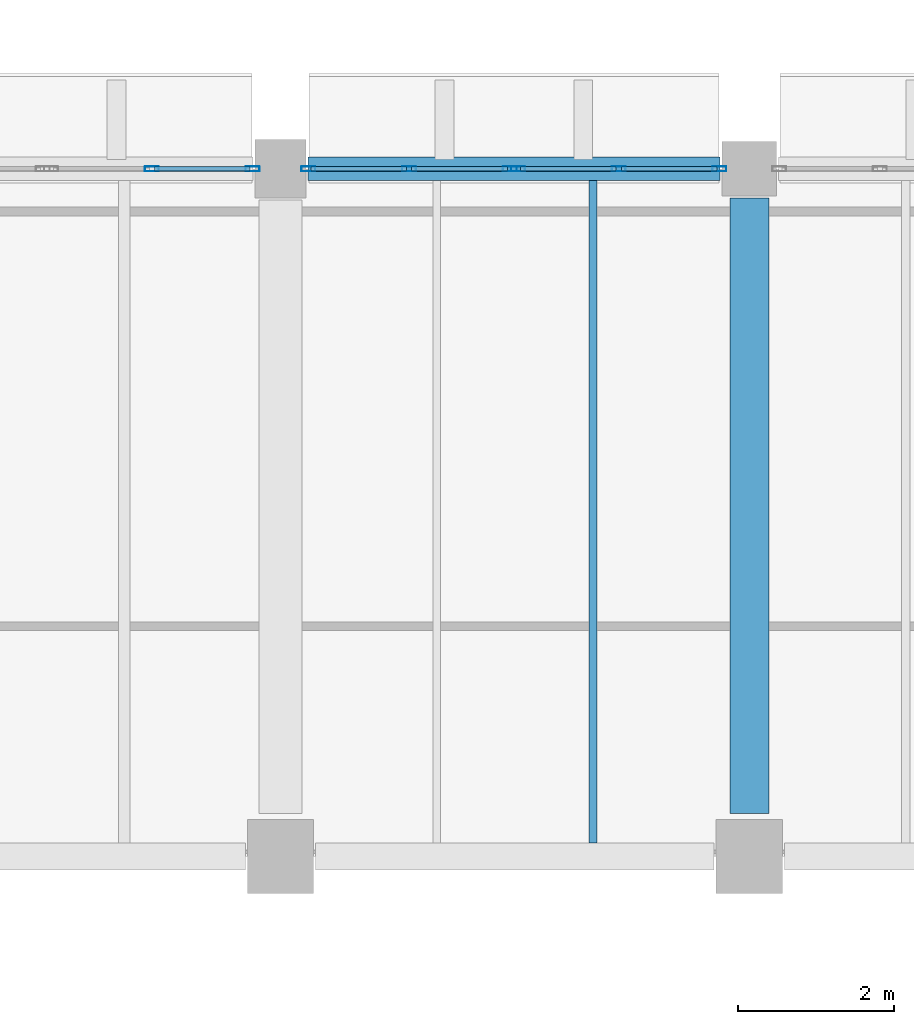
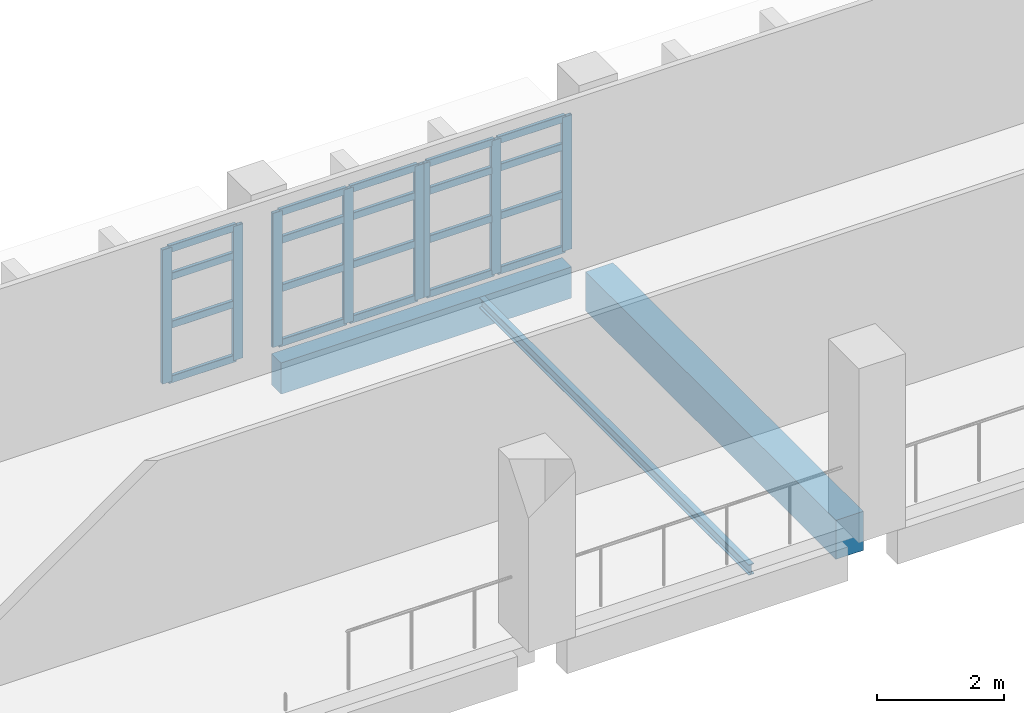
# One storey, part 36 of 75: 28 members, 3 beams, 3 elements without a shape of their own.
"""IFC4 building model written with IfcOpenShell, lengths in metres."""

from ifc_helpers import new_model, si_unit, direction, frame, origin, origin_2d, place, context, subcontext, project, spatial, rectangle, hollow_rectangle, i_section, extrude, material, material_profile, profile_set, type_object, element, aggregate, save


model = new_model("IFC4")

# Units and contexts
model_context = context("Model", 3, precision=1e-05, world=origin(), true_north=direction((0.0, 1.0)))
body_context = subcontext(model_context, "Body", "Model", "MODEL_VIEW")
ifc_project = project(units=[si_unit("LENGTHUNIT", "METRE"), si_unit("AREAUNIT", "SQUARE_METRE"), si_unit("VOLUMEUNIT", "CUBIC_METRE"), si_unit("PLANEANGLEUNIT", "RADIAN"), si_unit("MASSUNIT", "GRAM", prefix="KILO")], contexts=[model_context])

# Site, building, storey
site_placement = place(None, origin())
site = spatial("IfcSite", under=ifc_project, at=site_placement, CompositionType="ELEMENT")
building_placement = place(site_placement, origin())
building = spatial("IfcBuilding", under=site, at=building_placement, Name="Varnakota Cinema and Media Centre", CompositionType="ELEMENT")
storey_placement = place(building_placement, frame((0.0, 0.0, 8.39990234375)))
storey = spatial("IfcBuildingStorey", under=building, at=storey_placement, Name="L02", CompositionType="ELEMENT", Elevation=8.39990234375)

# Beams
ifc_material_1 = material(Name="Concrete M35", Category="concrete")
ifc_material_profile_1 = material_profile(ifc_material_1, rectangle(XDim=0.5, YDim=0.75, at=origin_2d()), Name="RCB 500x750")
ifc_profile_set_1 = profile_set([ifc_material_profile_1], Name="Concrete M35")
beam_type_1 = type_object("IfcBeamType", Name="BM-RC-500x750", PredefinedType="BEAM", material=ifc_profile_set_1)
beam_1_placement = place(storey_placement, frame((111.0, 35.75, -0.625), z_axis=(0.0, 1.0, 0.0), x_axis=(-1.0, 0.0, 0.0)))
element("IfcBeam", 1, at=beam_1_placement, inside=storey, type_object=beam_type_1, Name="L02 girder R/5-6", PredefinedType="BEAM", context=body_context, shape_type="SweptSolid", body=[
    extrude(rectangle(XDim=0.5, YDim=0.75, at=origin_2d()), origin(), (0.0, 0.0, 1.0), 7.875),
])
ifc_material_2 = material(Name="Concrete M35", Category="concrete")
ifc_material_profile_2 = material_profile(ifc_material_2, rectangle(XDim=0.300048828125, YDim=0.60009765625, at=origin_2d()), Name="RCB 300x600")
ifc_profile_set_2 = profile_set([ifc_material_profile_2], Name="Concrete M35")
beam_type_2 = type_object("IfcBeamType", Name="BM-SP-300x600", PredefinedType="SPANDREL", material=ifc_profile_set_2)
beam_2_placement = place(storey_placement, frame((105.35009765625, 44.0, -0.5498046875), z_axis=(1.0, 0.0, 0.0), x_axis=(0.0, 1.0, 0.0)))
element("IfcBeam", 2, at=beam_2_placement, inside=storey, type_object=beam_type_2, Name="L02 girder Q-R/6", PredefinedType="SPANDREL", context=body_context, shape_type="SweptSolid", body=[
    extrude(rectangle(XDim=0.300048828125, YDim=0.60009765625, at=origin_2d()), origin(), (0.0, 0.0, 1.0), 5.27490234375),
])
ifc_material_3 = material(Name="Structural steel Grade 350 (E350)", Category="steel")
ifc_material_profile_3 = material_profile(ifc_material_3, i_section(OverallWidth=0.10009765625, OverallDepth=0.199951171875, WebThickness=0.005615234375, FlangeThickness=0.0107421875, FilletRadius=0.010986328125, at=origin_2d()), Name="ISMB 200")
ifc_profile_set_3 = profile_set([ifc_material_profile_3], Name="Structural steel Grade 350 (E350)")
beam_type_3 = type_object("IfcBeamType", Name="BM-ST-ISMB200", PredefinedType="JOIST", material=ifc_profile_set_3)
beam_3_placement = place(storey_placement, frame((109.0, 35.375, -0.349853515625), z_axis=(0.0, 1.0, 0.0), x_axis=(-1.0, 0.0, 0.0)))
element("IfcBeam", 3, at=beam_3_placement, inside=storey, type_object=beam_type_3, Name="L02 steel joist Q-R/5-6 #2", PredefinedType="JOIST", context=body_context, shape_type="SweptSolid", body=[
    extrude(i_section(OverallWidth=0.10009765625, OverallDepth=0.199951171875, WebThickness=0.005615234375, FlangeThickness=0.0107421875, FilletRadius=0.010986328125, at=origin_2d()), origin(), (0.0, 0.0, 1.0), 8.47509765625),
])

# Curtain wall, members
ifc_material_4 = material(Name="Thermally broken anodised aluminium AW-6063", Category="aluminium")
curtain_wall_type = type_object("IfcCurtainWallType", Name="CW-STD-264x258", PredefinedType="USERDEFINED", material=ifc_material_4)
curtain_wall_1_placement = place(storey_placement, origin())
curtain_wall_1 = element("IfcCurtainWall", 4, at=curtain_wall_1_placement, inside=storey, type_object=curtain_wall_type, Name="L02 curtain wall CW-L02-V1-N-05-2", ObjectType="UNITISED CURTAIN WALL", PredefinedType="USERDEFINED")
ifc_material_5 = material(Name="Thermally broken anodised aluminium AW-6063", Category="aluminium")
ifc_material_profile_4 = material_profile(ifc_material_5, hollow_rectangle(XDim=0.06494140625, YDim=0.179931640625, WallThickness=0.00390625, InnerFilletRadius=0.00390625, OuterFilletRadius=0.008056640625, at=origin_2d()), Name="AL-MULLION 180x65x4")
ifc_profile_set_4 = profile_set([ifc_material_profile_4], Name="Thermally broken anodised aluminium AW-6063")
member_type_1 = type_object("IfcMemberType", Name="CWM-AL-180", PredefinedType="MULLION", material=ifc_profile_set_4)
member_1_placement = place(storey_placement, frame((103.353759765625, 44.0, 0.0), z_axis=(0.0, 0.0, 1.0), x_axis=(0.0, 1.0, 0.0)))
member_1 = element("IfcMember", 5, at=member_1_placement, type_object=member_type_1, Name="CW29 mullion 2", PredefinedType="MULLION", context=body_context, shape_type="SweptSolid", body=[
    extrude(hollow_rectangle(XDim=0.06494140625, YDim=0.179931640625, WallThickness=0.00390625, InnerFilletRadius=0.00390625, OuterFilletRadius=0.008056640625, at=origin_2d()), origin(), (0.0, 0.0, 1.0), 2.5751953125),
])
member_2_placement = place(storey_placement, frame((104.642578125, 44.0, 0.0), z_axis=(0.0, 0.0, 1.0), x_axis=(0.0, 1.0, 0.0)))
member_2 = element("IfcMember", 6, at=member_2_placement, type_object=member_type_1, Name="CW29 mullion 3", PredefinedType="MULLION", context=body_context, shape_type="SweptSolid", body=[
    extrude(hollow_rectangle(XDim=0.06494140625, YDim=0.179931640625, WallThickness=0.00390625, InnerFilletRadius=0.00390625, OuterFilletRadius=0.008056640625, at=origin_2d()), origin(), (0.0, 0.0, 1.0), 2.5751953125),
])

curtain_wall_2_placement = place(storey_placement, origin())
curtain_wall_2 = element("IfcCurtainWall", 7, at=curtain_wall_2_placement, inside=storey, type_object=curtain_wall_type, Name="L02 curtain wall CW-L02-V1-N-06-1", ObjectType="UNITISED CURTAIN WALL", PredefinedType="USERDEFINED")
member_3_placement = place(storey_placement, frame((105.357421875, 44.0, 0.0), z_axis=(0.0, 0.0, 1.0), x_axis=(0.0, 1.0, 0.0)))
member_3 = element("IfcMember", 8, at=member_3_placement, type_object=member_type_1, Name="CW29 mullion 1", PredefinedType="MULLION", context=body_context, shape_type="SweptSolid", body=[
    extrude(hollow_rectangle(XDim=0.06494140625, YDim=0.179931640625, WallThickness=0.00390625, InnerFilletRadius=0.00390625, OuterFilletRadius=0.008056640625, at=origin_2d()), origin(), (0.0, 0.0, 1.0), 2.5751953125),
])
member_4_placement = place(storey_placement, frame((106.646240234375, 44.0, 0.0), z_axis=(0.0, 0.0, 1.0), x_axis=(0.0, 1.0, 0.0)))
member_4 = element("IfcMember", 9, at=member_4_placement, type_object=member_type_1, Name="CW29 mullion 2", PredefinedType="MULLION", context=body_context, shape_type="SweptSolid", body=[
    extrude(hollow_rectangle(XDim=0.06494140625, YDim=0.179931640625, WallThickness=0.00390625, InnerFilletRadius=0.00390625, OuterFilletRadius=0.008056640625, at=origin_2d()), origin(), (0.0, 0.0, 1.0), 2.5751953125),
])
member_5_placement = place(storey_placement, frame((107.93505859375, 44.0, 0.0), z_axis=(0.0, 0.0, 1.0), x_axis=(0.0, 1.0, 0.0)))
member_5 = element("IfcMember", 10, at=member_5_placement, type_object=member_type_1, Name="CW29 mullion 3", PredefinedType="MULLION", context=body_context, shape_type="SweptSolid", body=[
    extrude(hollow_rectangle(XDim=0.06494140625, YDim=0.179931640625, WallThickness=0.00390625, InnerFilletRadius=0.00390625, OuterFilletRadius=0.008056640625, at=origin_2d()), origin(), (0.0, 0.0, 1.0), 2.5751953125),
])

curtain_wall_3_placement = place(storey_placement, origin())
curtain_wall_3 = element("IfcCurtainWall", 11, at=curtain_wall_3_placement, inside=storey, type_object=curtain_wall_type, Name="L02 curtain wall CW-L02-V1-N-06-2", ObjectType="UNITISED CURTAIN WALL", PredefinedType="USERDEFINED")
member_6_placement = place(storey_placement, frame((108.0400390625, 44.0, 0.0), z_axis=(0.0, 0.0, 1.0), x_axis=(0.0, 1.0, 0.0)))
member_6 = element("IfcMember", 12, at=member_6_placement, type_object=member_type_1, Name="CW29 mullion 1", PredefinedType="MULLION", context=body_context, shape_type="SweptSolid", body=[
    extrude(hollow_rectangle(XDim=0.06494140625, YDim=0.179931640625, WallThickness=0.00390625, InnerFilletRadius=0.00390625, OuterFilletRadius=0.008056640625, at=origin_2d()), origin(), (0.0, 0.0, 1.0), 2.5751953125),
])
member_7_placement = place(storey_placement, frame((109.328857421875, 44.0, 0.0), z_axis=(0.0, 0.0, 1.0), x_axis=(0.0, 1.0, 0.0)))
member_7 = element("IfcMember", 13, at=member_7_placement, type_object=member_type_1, Name="CW29 mullion 2", PredefinedType="MULLION", context=body_context, shape_type="SweptSolid", body=[
    extrude(hollow_rectangle(XDim=0.06494140625, YDim=0.179931640625, WallThickness=0.00390625, InnerFilletRadius=0.00390625, OuterFilletRadius=0.008056640625, at=origin_2d()), origin(), (0.0, 0.0, 1.0), 2.5751953125),
])
member_8_placement = place(storey_placement, frame((110.617431640625, 44.0, 0.0), z_axis=(0.0, 0.0, 1.0), x_axis=(0.0, 1.0, 0.0)))
member_8 = element("IfcMember", 14, at=member_8_placement, type_object=member_type_1, Name="CW29 mullion 3", PredefinedType="MULLION", context=body_context, shape_type="SweptSolid", body=[
    extrude(hollow_rectangle(XDim=0.06494140625, YDim=0.179931640625, WallThickness=0.00390625, InnerFilletRadius=0.00390625, OuterFilletRadius=0.008056640625, at=origin_2d()), origin(), (0.0, 0.0, 1.0), 2.5751953125),
])

# Member
ifc_material_6 = material(Name="Thermally broken anodised aluminium AW-6063", Category="aluminium")
ifc_material_profile_5 = material_profile(ifc_material_6, hollow_rectangle(XDim=0.06494140625, YDim=0.139892578125, WallThickness=0.00390625, InnerFilletRadius=0.00390625, OuterFilletRadius=0.008056640625, at=origin_2d()), Name="AL-TRANSOM 140x65x4")
ifc_profile_set_5 = profile_set([ifc_material_profile_5], Name="Thermally broken anodised aluminium AW-6063")
member_type_2 = type_object("IfcMemberType", Name="CWT-AL-140", PredefinedType="USERDEFINED", material=ifc_profile_set_5)
member_9_placement = place(storey_placement, frame((103.38623046875, 44.0, 0.03271484375), z_axis=(1.0, 0.0, 0.0), x_axis=(0.0, 1.0, 0.0)))
member_9 = element("IfcMember", 15, at=member_9_placement, type_object=member_type_2, Name="CW29 transom 2.1", ObjectType="TRANSOM", PredefinedType="USERDEFINED", context=body_context, shape_type="SweptSolid", body=[
    extrude(hollow_rectangle(XDim=0.06494140625, YDim=0.139892578125, WallThickness=0.00390625, InnerFilletRadius=0.00390625, OuterFilletRadius=0.008056640625, at=origin_2d()), origin(), (0.0, 0.0, 1.0), 1.223876953125),
])

member_10_placement = place(storey_placement, frame((103.38623046875, 44.0, 1.08154296875), z_axis=(1.0, 0.0, 0.0), x_axis=(0.0, 1.0, 0.0)))
member_10 = element("IfcMember", 16, at=member_10_placement, type_object=member_type_2, Name="CW29 transom 2.2", ObjectType="TRANSOM", PredefinedType="USERDEFINED", context=body_context, shape_type="SweptSolid", body=[
    extrude(hollow_rectangle(XDim=0.06494140625, YDim=0.139892578125, WallThickness=0.00390625, InnerFilletRadius=0.00390625, OuterFilletRadius=0.008056640625, at=origin_2d()), origin(), (0.0, 0.0, 1.0), 1.223876953125),
])

member_11_placement = place(storey_placement, frame((103.38623046875, 44.0, 2.008544921875), z_axis=(1.0, 0.0, 0.0), x_axis=(0.0, 1.0, 0.0)))
member_11 = element("IfcMember", 17, at=member_11_placement, type_object=member_type_2, Name="CW29 transom 2.3", ObjectType="TRANSOM", PredefinedType="USERDEFINED", context=body_context, shape_type="SweptSolid", body=[
    extrude(hollow_rectangle(XDim=0.06494140625, YDim=0.139892578125, WallThickness=0.00390625, InnerFilletRadius=0.00390625, OuterFilletRadius=0.008056640625, at=origin_2d()), origin(), (0.0, 0.0, 1.0), 1.223876953125),
])

member_12_placement = place(storey_placement, frame((103.38623046875, 44.0, 2.54248046875), z_axis=(1.0, 0.0, 0.0), x_axis=(0.0, 1.0, 0.0)))
member_12 = element("IfcMember", 18, at=member_12_placement, type_object=member_type_2, Name="CW29 transom 2.4", ObjectType="TRANSOM", PredefinedType="USERDEFINED", context=body_context, shape_type="SweptSolid", body=[
    extrude(hollow_rectangle(XDim=0.06494140625, YDim=0.139892578125, WallThickness=0.00390625, InnerFilletRadius=0.00390625, OuterFilletRadius=0.008056640625, at=origin_2d()), origin(), (0.0, 0.0, 1.0), 1.223876953125),
])

aggregate(curtain_wall_1, [member_1, member_2, member_9, member_10, member_11, member_12])

member_13_placement = place(storey_placement, frame((105.389892578125, 44.0, 0.03271484375), z_axis=(1.0, 0.0, 0.0), x_axis=(0.0, 1.0, 0.0)))
member_13 = element("IfcMember", 19, at=member_13_placement, type_object=member_type_2, Name="CW29 transom 1.1", ObjectType="TRANSOM", PredefinedType="USERDEFINED", context=body_context, shape_type="SweptSolid", body=[
    extrude(hollow_rectangle(XDim=0.06494140625, YDim=0.139892578125, WallThickness=0.00390625, InnerFilletRadius=0.00390625, OuterFilletRadius=0.008056640625, at=origin_2d()), origin(), (0.0, 0.0, 1.0), 1.223876953125),
])

member_14_placement = place(storey_placement, frame((105.389892578125, 44.0, 1.08154296875), z_axis=(1.0, 0.0, 0.0), x_axis=(0.0, 1.0, 0.0)))
member_14 = element("IfcMember", 20, at=member_14_placement, type_object=member_type_2, Name="CW29 transom 1.2", ObjectType="TRANSOM", PredefinedType="USERDEFINED", context=body_context, shape_type="SweptSolid", body=[
    extrude(hollow_rectangle(XDim=0.06494140625, YDim=0.139892578125, WallThickness=0.00390625, InnerFilletRadius=0.00390625, OuterFilletRadius=0.008056640625, at=origin_2d()), origin(), (0.0, 0.0, 1.0), 1.223876953125),
])

member_15_placement = place(storey_placement, frame((105.389892578125, 44.0, 2.008544921875), z_axis=(1.0, 0.0, 0.0), x_axis=(0.0, 1.0, 0.0)))
member_15 = element("IfcMember", 21, at=member_15_placement, type_object=member_type_2, Name="CW29 transom 1.3", ObjectType="TRANSOM", PredefinedType="USERDEFINED", context=body_context, shape_type="SweptSolid", body=[
    extrude(hollow_rectangle(XDim=0.06494140625, YDim=0.139892578125, WallThickness=0.00390625, InnerFilletRadius=0.00390625, OuterFilletRadius=0.008056640625, at=origin_2d()), origin(), (0.0, 0.0, 1.0), 1.223876953125),
])

member_16_placement = place(storey_placement, frame((105.389892578125, 44.0, 2.54248046875), z_axis=(1.0, 0.0, 0.0), x_axis=(0.0, 1.0, 0.0)))
member_16 = element("IfcMember", 22, at=member_16_placement, type_object=member_type_2, Name="CW29 transom 1.4", ObjectType="TRANSOM", PredefinedType="USERDEFINED", context=body_context, shape_type="SweptSolid", body=[
    extrude(hollow_rectangle(XDim=0.06494140625, YDim=0.139892578125, WallThickness=0.00390625, InnerFilletRadius=0.00390625, OuterFilletRadius=0.008056640625, at=origin_2d()), origin(), (0.0, 0.0, 1.0), 1.223876953125),
])

member_17_placement = place(storey_placement, frame((106.6787109375, 44.0, 0.03271484375), z_axis=(1.0, 0.0, 0.0), x_axis=(0.0, 1.0, 0.0)))
member_17 = element("IfcMember", 23, at=member_17_placement, type_object=member_type_2, Name="CW29 transom 2.1", ObjectType="TRANSOM", PredefinedType="USERDEFINED", context=body_context, shape_type="SweptSolid", body=[
    extrude(hollow_rectangle(XDim=0.06494140625, YDim=0.139892578125, WallThickness=0.00390625, InnerFilletRadius=0.00390625, OuterFilletRadius=0.008056640625, at=origin_2d()), origin(), (0.0, 0.0, 1.0), 1.223876953125),
])

member_18_placement = place(storey_placement, frame((106.6787109375, 44.0, 1.08154296875), z_axis=(1.0, 0.0, 0.0), x_axis=(0.0, 1.0, 0.0)))
member_18 = element("IfcMember", 24, at=member_18_placement, type_object=member_type_2, Name="CW29 transom 2.2", ObjectType="TRANSOM", PredefinedType="USERDEFINED", context=body_context, shape_type="SweptSolid", body=[
    extrude(hollow_rectangle(XDim=0.06494140625, YDim=0.139892578125, WallThickness=0.00390625, InnerFilletRadius=0.00390625, OuterFilletRadius=0.008056640625, at=origin_2d()), origin(), (0.0, 0.0, 1.0), 1.223876953125),
])

member_19_placement = place(storey_placement, frame((106.6787109375, 44.0, 2.008544921875), z_axis=(1.0, 0.0, 0.0), x_axis=(0.0, 1.0, 0.0)))
member_19 = element("IfcMember", 25, at=member_19_placement, type_object=member_type_2, Name="CW29 transom 2.3", ObjectType="TRANSOM", PredefinedType="USERDEFINED", context=body_context, shape_type="SweptSolid", body=[
    extrude(hollow_rectangle(XDim=0.06494140625, YDim=0.139892578125, WallThickness=0.00390625, InnerFilletRadius=0.00390625, OuterFilletRadius=0.008056640625, at=origin_2d()), origin(), (0.0, 0.0, 1.0), 1.223876953125),
])

member_20_placement = place(storey_placement, frame((106.6787109375, 44.0, 2.54248046875), z_axis=(1.0, 0.0, 0.0), x_axis=(0.0, 1.0, 0.0)))
member_20 = element("IfcMember", 26, at=member_20_placement, type_object=member_type_2, Name="CW29 transom 2.4", ObjectType="TRANSOM", PredefinedType="USERDEFINED", context=body_context, shape_type="SweptSolid", body=[
    extrude(hollow_rectangle(XDim=0.06494140625, YDim=0.139892578125, WallThickness=0.00390625, InnerFilletRadius=0.00390625, OuterFilletRadius=0.008056640625, at=origin_2d()), origin(), (0.0, 0.0, 1.0), 1.223876953125),
])

aggregate(curtain_wall_2, [member_3, member_4, member_5, member_13, member_14, member_15, member_16, member_17, member_18, member_19, member_20])

member_21_placement = place(storey_placement, frame((108.072509765625, 44.0, 0.03271484375), z_axis=(1.0, 0.0, 0.0), x_axis=(0.0, 1.0, 0.0)))
member_21 = element("IfcMember", 27, at=member_21_placement, type_object=member_type_2, Name="CW29 transom 1.1", ObjectType="TRANSOM", PredefinedType="USERDEFINED", context=body_context, shape_type="SweptSolid", body=[
    extrude(hollow_rectangle(XDim=0.06494140625, YDim=0.139892578125, WallThickness=0.00390625, InnerFilletRadius=0.00390625, OuterFilletRadius=0.008056640625, at=origin_2d()), origin(), (0.0, 0.0, 1.0), 1.2236328125),
])

member_22_placement = place(storey_placement, frame((108.072509765625, 44.0, 1.08154296875), z_axis=(1.0, 0.0, 0.0), x_axis=(0.0, 1.0, 0.0)))
member_22 = element("IfcMember", 28, at=member_22_placement, type_object=member_type_2, Name="CW29 transom 1.2", ObjectType="TRANSOM", PredefinedType="USERDEFINED", context=body_context, shape_type="SweptSolid", body=[
    extrude(hollow_rectangle(XDim=0.06494140625, YDim=0.139892578125, WallThickness=0.00390625, InnerFilletRadius=0.00390625, OuterFilletRadius=0.008056640625, at=origin_2d()), origin(), (0.0, 0.0, 1.0), 1.2236328125),
])

member_23_placement = place(storey_placement, frame((108.072509765625, 44.0, 2.008544921875), z_axis=(1.0, 0.0, 0.0), x_axis=(0.0, 1.0, 0.0)))
member_23 = element("IfcMember", 29, at=member_23_placement, type_object=member_type_2, Name="CW29 transom 1.3", ObjectType="TRANSOM", PredefinedType="USERDEFINED", context=body_context, shape_type="SweptSolid", body=[
    extrude(hollow_rectangle(XDim=0.06494140625, YDim=0.139892578125, WallThickness=0.00390625, InnerFilletRadius=0.00390625, OuterFilletRadius=0.008056640625, at=origin_2d()), origin(), (0.0, 0.0, 1.0), 1.2236328125),
])

member_24_placement = place(storey_placement, frame((108.072509765625, 44.0, 2.54248046875), z_axis=(1.0, 0.0, 0.0), x_axis=(0.0, 1.0, 0.0)))
member_24 = element("IfcMember", 30, at=member_24_placement, type_object=member_type_2, Name="CW29 transom 1.4", ObjectType="TRANSOM", PredefinedType="USERDEFINED", context=body_context, shape_type="SweptSolid", body=[
    extrude(hollow_rectangle(XDim=0.06494140625, YDim=0.139892578125, WallThickness=0.00390625, InnerFilletRadius=0.00390625, OuterFilletRadius=0.008056640625, at=origin_2d()), origin(), (0.0, 0.0, 1.0), 1.2236328125),
])

member_25_placement = place(storey_placement, frame((109.361328125, 44.0, 0.03271484375), z_axis=(1.0, 0.0, 0.0), x_axis=(0.0, 1.0, 0.0)))
member_25 = element("IfcMember", 31, at=member_25_placement, type_object=member_type_2, Name="CW29 transom 2.1", ObjectType="TRANSOM", PredefinedType="USERDEFINED", context=body_context, shape_type="SweptSolid", body=[
    extrude(hollow_rectangle(XDim=0.06494140625, YDim=0.139892578125, WallThickness=0.00390625, InnerFilletRadius=0.00390625, OuterFilletRadius=0.008056640625, at=origin_2d()), origin(), (0.0, 0.0, 1.0), 1.2236328125),
])

member_26_placement = place(storey_placement, frame((109.361328125, 44.0, 1.08154296875), z_axis=(1.0, 0.0, 0.0), x_axis=(0.0, 1.0, 0.0)))
member_26 = element("IfcMember", 32, at=member_26_placement, type_object=member_type_2, Name="CW29 transom 2.2", ObjectType="TRANSOM", PredefinedType="USERDEFINED", context=body_context, shape_type="SweptSolid", body=[
    extrude(hollow_rectangle(XDim=0.06494140625, YDim=0.139892578125, WallThickness=0.00390625, InnerFilletRadius=0.00390625, OuterFilletRadius=0.008056640625, at=origin_2d()), origin(), (0.0, 0.0, 1.0), 1.2236328125),
])

member_27_placement = place(storey_placement, frame((109.361328125, 44.0, 2.008544921875), z_axis=(1.0, 0.0, 0.0), x_axis=(0.0, 1.0, 0.0)))
member_27 = element("IfcMember", 33, at=member_27_placement, type_object=member_type_2, Name="CW29 transom 2.3", ObjectType="TRANSOM", PredefinedType="USERDEFINED", context=body_context, shape_type="SweptSolid", body=[
    extrude(hollow_rectangle(XDim=0.06494140625, YDim=0.139892578125, WallThickness=0.00390625, InnerFilletRadius=0.00390625, OuterFilletRadius=0.008056640625, at=origin_2d()), origin(), (0.0, 0.0, 1.0), 1.2236328125),
])

member_28_placement = place(storey_placement, frame((109.361328125, 44.0, 2.54248046875), z_axis=(1.0, 0.0, 0.0), x_axis=(0.0, 1.0, 0.0)))
member_28 = element("IfcMember", 34, at=member_28_placement, type_object=member_type_2, Name="CW29 transom 2.4", ObjectType="TRANSOM", PredefinedType="USERDEFINED", context=body_context, shape_type="SweptSolid", body=[
    extrude(hollow_rectangle(XDim=0.06494140625, YDim=0.139892578125, WallThickness=0.00390625, InnerFilletRadius=0.00390625, OuterFilletRadius=0.008056640625, at=origin_2d()), origin(), (0.0, 0.0, 1.0), 1.2236328125),
])

aggregate(curtain_wall_3, [member_6, member_7, member_8, member_21, member_22, member_23, member_24, member_25, member_26, member_27, member_28])

save(model, "model.ifc")
